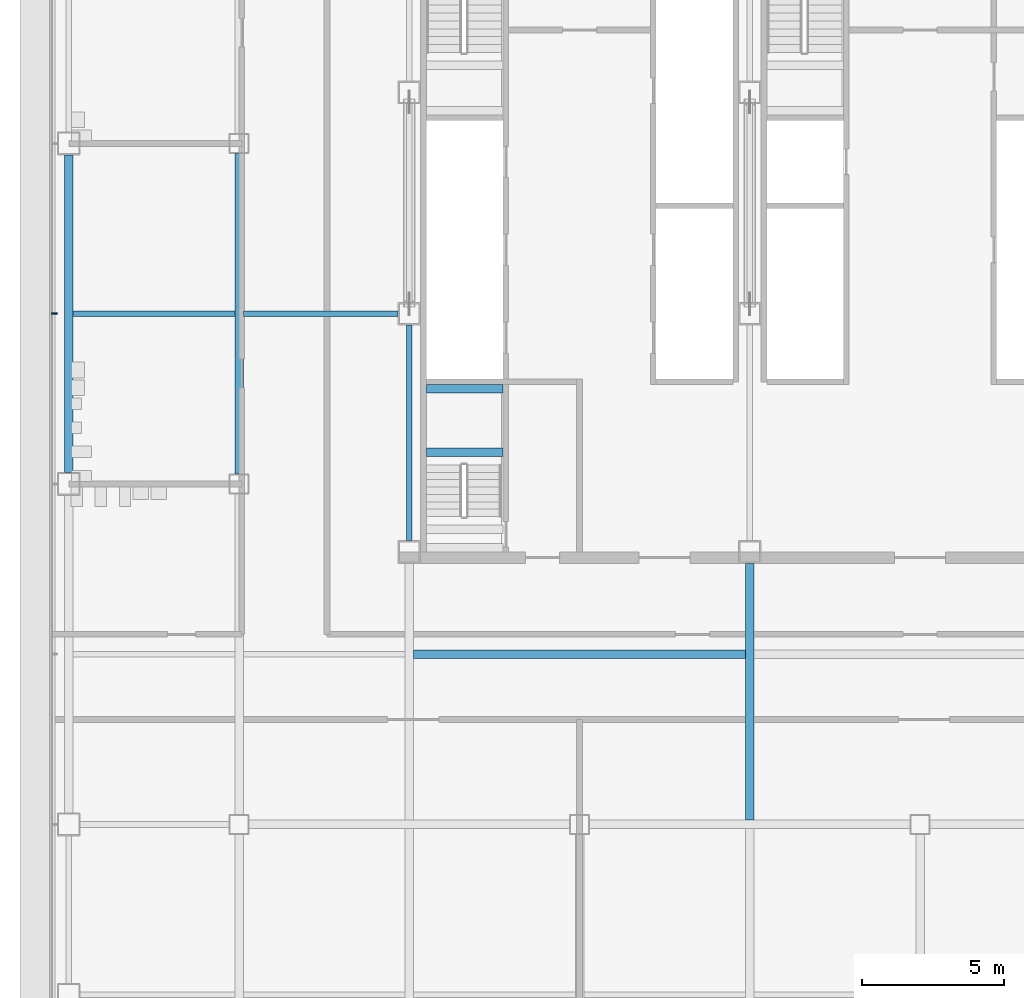
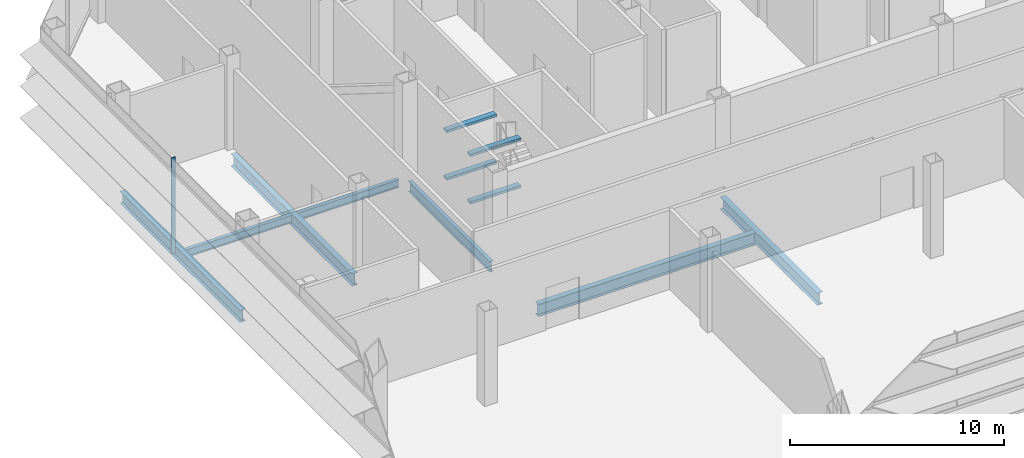
# One storey, part 5 of 23: 11 beams, 1 member, 1 element without a shape of its own.
"""IFC4 building model written with IfcOpenShell, lengths in metres."""

from ifc_helpers import new_model, si_unit, direction, frame, origin, origin_2d, place, context, subcontext, project, spatial, rectangle, i_section, extrude, material, material_profile, profile_set, type_object, element, aggregate, save


model = new_model("IFC4")

# Units and contexts
model_context = context("Model", 3, precision=1e-05, world=origin(), true_north=direction((0.0, 1.0)))
body_context = subcontext(model_context, "Body", "Model", "MODEL_VIEW")
ifc_project = project(units=[si_unit("LENGTHUNIT", "METRE"), si_unit("AREAUNIT", "SQUARE_METRE"), si_unit("VOLUMEUNIT", "CUBIC_METRE"), si_unit("PLANEANGLEUNIT", "RADIAN"), si_unit("MASSUNIT", "GRAM", prefix="KILO")], contexts=[model_context])

# Site, building, storey
site_placement = place(None, origin())
site = spatial("IfcSite", under=ifc_project, at=site_placement, CompositionType="ELEMENT")
building_placement = place(site_placement, origin())
building = spatial("IfcBuilding", under=site, at=building_placement, Name="Sorahane Residences", CompositionType="ELEMENT")
storey_placement = place(building_placement, frame((0.0, 0.0, 114.199951171875)))
storey = spatial("IfcBuildingStorey", under=building, at=storey_placement, Name="L25", CompositionType="ELEMENT", Elevation=114.199951171875)

# Curtain wall, member
ifc_material_1 = material(Name="Dark low-e glass and black anodised aluminium", Category="aluminium")
curtain_wall_type = type_object("IfcCurtainWallType", Name="Curtain wall CW-4 Sky floor frameless wall", PredefinedType="NOTDEFINED", material=ifc_material_1)
curtain_wall_placement = place(storey_placement, origin())
curtain_wall = element("IfcCurtainWall", 1, at=curtain_wall_placement, inside=storey, type_object=curtain_wall_type, Name="CW-4 curtain wall L25 W1", PredefinedType="NOTDEFINED")
ifc_material_2 = material(Name="Black anodised aluminium", Category="aluminium")
ifc_material_profile_1 = material_profile(ifc_material_2, rectangle(XDim=0.219970703125, YDim=0.050048828125, at=origin_2d()), Name="Curtain wall mullion CW-4 black anodised aluminium 50x220")
ifc_profile_set_1 = profile_set([ifc_material_profile_1], Name="Black anodised aluminium")
member_type = type_object("IfcMemberType", Name="Curtain wall mullion CW-4 black anodised aluminium 50x220", PredefinedType="MULLION", material=ifc_profile_set_1)
member_placement = place(storey_placement, frame((-6.510009765625, 30.0, -0.219970703125), z_axis=(0.0, 0.0, 1.0), x_axis=(-1.0, 0.0, 0.0)))
member = element("IfcMember", 2, at=member_placement, type_object=member_type, Name="CW-4 mullion L25 W1.3", PredefinedType="MULLION", context=body_context, shape_type="SweptSolid", body=[
    extrude(rectangle(XDim=0.219970703125, YDim=0.050048828125, at=origin_2d()), origin(), (0.0, 0.0, 1.0), 5.43994140625),
])
aggregate(curtain_wall, [member])

# Beams
ifc_material_3 = material(Name="Concrete C40", Category="concrete")
ifc_material_profile_2 = material_profile(ifc_material_3, rectangle(XDim=0.300048828125, YDim=0.139892578125, at=origin_2d()), Name="300x140")
ifc_profile_set_2 = profile_set([ifc_material_profile_2], Name="Concrete C40")
beam_type_1 = type_object("IfcBeamType", Name="RC landing beam 300 x 140 Concrete C40", PredefinedType="BEAM", material=ifc_profile_set_2)
for number, where, z_axis, x_axis, name in (
    (3, (6.60009765625, 25.1201171875, 1.080078125), (1.0, 0.0, 0.0), (0.0, 1.0, 0.0), "Landing beam"),
    (4, (6.60009765625, 27.35009765625, 1.080078125), (1.0, 0.0, 0.0), (0.0, 1.0, 0.0), "Landing beam"),
    (5, (6.60009765625, 25.1201171875, 3.780029296875), (1.0, 0.0, 0.0), (0.0, 1.0, 0.0), "Landing beam"),
    (6, (6.60009765625, 27.35009765625, 3.780029296875), (1.0, 0.0, 0.0), (0.0, 1.0, 0.0), "Landing beam"),
):
    element("IfcBeam", number, at=place(storey_placement, frame(where, z_axis=z_axis, x_axis=x_axis)), inside=storey, type_object=beam_type_1, Name=name, PredefinedType="BEAM", context=body_context, shape_type="SweptSolid", body=[
        extrude(rectangle(XDim=0.300048828125, YDim=0.139892578125, at=origin_2d()), origin(), (0.0, 0.0, 1.0), 2.699951171875),
    ])
ifc_material_4 = material(Name="Steel Q355B", Category="steel")
ifc_material_profile_3 = material_profile(ifc_material_4, i_section(OverallWidth=0.199951171875, OverallDepth=0.449951171875, WebThickness=0.009033203125, FlangeThickness=0.013916015625, FilletRadius=0.02001953125, at=origin_2d()), Name="HN 450x200x9x14")
ifc_profile_set_3 = profile_set([ifc_material_profile_3], Name="Steel Q355B")
beam_type_2 = type_object("IfcBeamType", Name="Steel floor beam HN 450x200x9x14 Q355B", PredefinedType="BEAM", material=ifc_profile_set_3)
beam_1_placement = place(storey_placement, frame((-5.85009765625, 30.0, -0.445068359375), z_axis=(1.0, 0.0, 0.0), x_axis=(0.0, 1.0, 0.0)))
element("IfcBeam", 7, at=beam_1_placement, inside=storey, type_object=beam_type_2, Name="Beam L25 085", PredefinedType="BEAM", context=body_context, shape_type="SweptSolid", body=[
    extrude(i_section(OverallWidth=0.199951171875, OverallDepth=0.449951171875, WebThickness=0.009033203125, FlangeThickness=0.013916015625, FilletRadius=0.02001953125, at=origin_2d()), origin(), (0.0, 0.0, 1.0), 5.7001953125),
])
beam_2_placement = place(storey_placement, frame((0.14990234375, 30.0, -0.445068359375), z_axis=(1.0, 0.0, 0.0), x_axis=(0.0, 1.0, 0.0)))
element("IfcBeam", 8, at=beam_2_placement, inside=storey, type_object=beam_type_2, Name="Beam L25 086", PredefinedType="BEAM", context=body_context, shape_type="SweptSolid", body=[
    extrude(i_section(OverallWidth=0.199951171875, OverallDepth=0.449951171875, WebThickness=0.009033203125, FlangeThickness=0.013916015625, FilletRadius=0.02001953125, at=origin_2d()), origin(), (0.0, 0.0, 1.0), 5.4501953125),
])
ifc_material_5 = material(Name="Steel Q355B", Category="steel")
ifc_material_profile_4 = material_profile(ifc_material_5, i_section(OverallWidth=0.199951171875, OverallDepth=0.60009765625, WebThickness=0.010986328125, FlangeThickness=0.01708984375, FilletRadius=0.02392578125, at=origin_2d()), Name="HN 600x200x11x17")
ifc_profile_set_4 = profile_set([ifc_material_profile_4], Name="Steel Q355B")
beam_type_3 = type_object("IfcBeamType", Name="Steel floor beam HN 600x200x11x17 Q355B", PredefinedType="BEAM", material=ifc_profile_set_4)
beam_3_placement = place(storey_placement, frame((6.0, 22.0, -0.52001953125), z_axis=(0.0, 1.0, 0.0), x_axis=(-1.0, 0.0, 0.0)))
element("IfcBeam", 9, at=beam_3_placement, inside=storey, type_object=beam_type_3, Name="Beam L25 030", PredefinedType="BEAM", context=body_context, shape_type="SweptSolid", body=[
    extrude(i_section(OverallWidth=0.199951171875, OverallDepth=0.60009765625, WebThickness=0.010986328125, FlangeThickness=0.01708984375, FilletRadius=0.02392578125, at=origin_2d()), origin(), (0.0, 0.0, 1.0), 7.60009765625),
])
ifc_material_6 = material(Name="Steel Q355B", Category="steel")
ifc_material_profile_5 = material_profile(ifc_material_6, i_section(OverallWidth=0.300048828125, OverallDepth=0.699951171875, WebThickness=0.012939453125, FlangeThickness=0.02392578125, FilletRadius=0.028076171875, at=origin_2d()), Name="HN 700x300x13x24")
ifc_profile_set_5 = profile_set([ifc_material_profile_5], Name="Steel Q355B")
beam_type_4 = type_object("IfcBeamType", Name="Steel floor beam HN 700x300x13x24 Q355B", PredefinedType="BEAM", material=ifc_profile_set_5)
beam_4_placement = place(storey_placement, frame((-6.0, 24.39990234375, -0.570068359375), z_axis=(0.0, 1.0, 0.0), x_axis=(-1.0, 0.0, 0.0)))
element("IfcBeam", 10, at=beam_4_placement, inside=storey, type_object=beam_type_4, Name="Beam L25 022", PredefinedType="BEAM", context=body_context, shape_type="SweptSolid", body=[
    extrude(i_section(OverallWidth=0.300048828125, OverallDepth=0.699951171875, WebThickness=0.012939453125, FlangeThickness=0.02392578125, FilletRadius=0.028076171875, at=origin_2d()), origin(), (0.0, 0.0, 1.0), 11.2001953125),
])
beam_5_placement = place(storey_placement, frame((0.0, 24.35009765625, -0.570068359375), z_axis=(0.0, 1.0, 0.0), x_axis=(-1.0, 0.0, 0.0)))
element("IfcBeam", 11, at=beam_5_placement, inside=storey, type_object=beam_type_4, Name="Beam L25 026", PredefinedType="BEAM", context=body_context, shape_type="SweptSolid", body=[
    extrude(i_section(OverallWidth=0.300048828125, OverallDepth=0.699951171875, WebThickness=0.012939453125, FlangeThickness=0.02392578125, FilletRadius=0.028076171875, at=origin_2d()), origin(), (0.0, 0.0, 1.0), 11.2998046875),
])
beam_6_placement = place(storey_placement, frame((18.0, 12.14990234375, -0.570068359375), z_axis=(0.0, 1.0, 0.0), x_axis=(-1.0, 0.0, 0.0)))
element("IfcBeam", 12, at=beam_6_placement, inside=storey, type_object=beam_type_4, Name="Beam L25 037", PredefinedType="BEAM", context=body_context, shape_type="SweptSolid", body=[
    extrude(i_section(OverallWidth=0.300048828125, OverallDepth=0.699951171875, WebThickness=0.012939453125, FlangeThickness=0.02392578125, FilletRadius=0.028076171875, at=origin_2d()), origin(), (0.0, 0.0, 1.0), 9.050048828125),
])
beam_7_placement = place(storey_placement, frame((6.14990234375, 18.0, -0.570068359375), z_axis=(1.0, 0.0, 0.0), x_axis=(0.0, 1.0, 0.0)))
element("IfcBeam", 13, at=beam_7_placement, inside=storey, type_object=beam_type_4, Name="Beam L25 080", PredefinedType="BEAM", context=body_context, shape_type="SweptSolid", body=[
    extrude(i_section(OverallWidth=0.300048828125, OverallDepth=0.699951171875, WebThickness=0.012939453125, FlangeThickness=0.02392578125, FilletRadius=0.028076171875, at=origin_2d()), origin(), (0.0, 0.0, 1.0), 11.7001953125),
])

save(model, "model.ifc")
